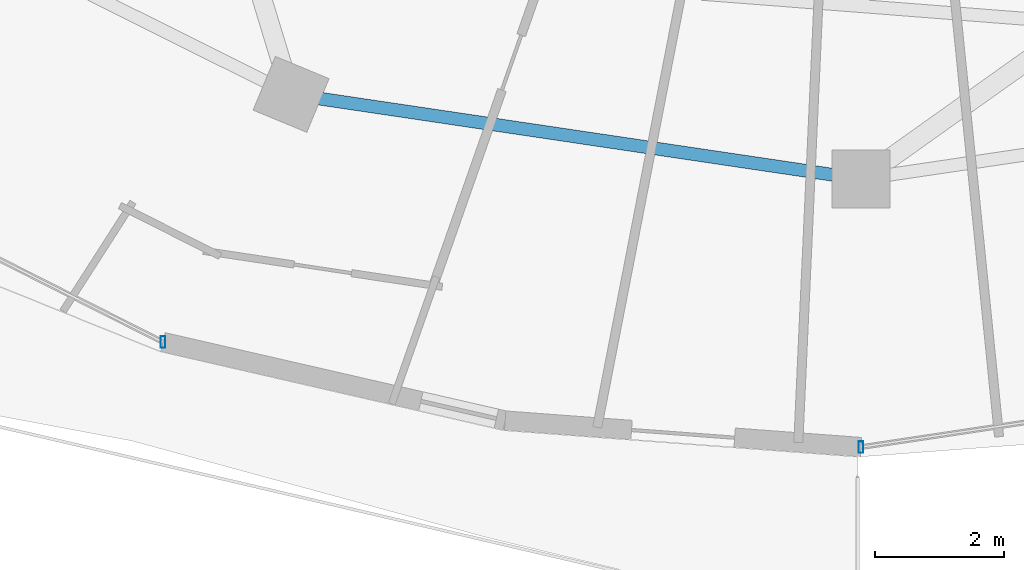
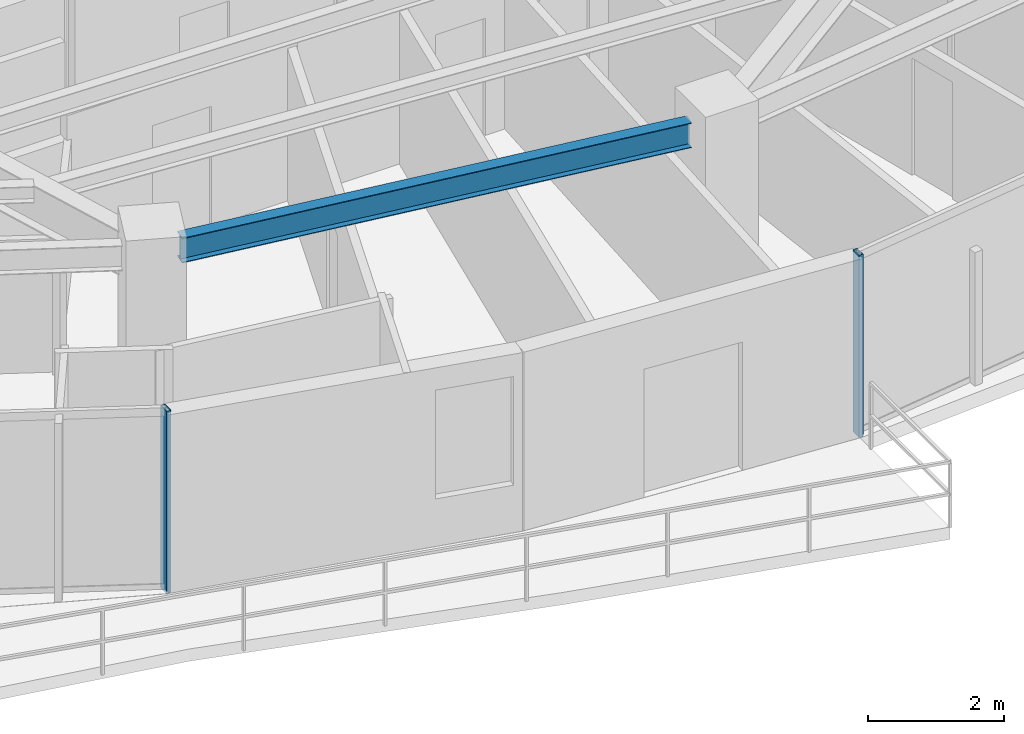
# One storey, part 5 of 33: 2 members, 1 beam, 2 elements without a shape of their own.
"""IFC4 building model written with IfcOpenShell, lengths in metres."""

from ifc_helpers import new_model, si_unit, direction, frame, origin, origin_2d, place, context, subcontext, project, spatial, hollow_rectangle, i_section, extrude, material, material_profile, profile_set, type_object, element, aggregate, save


model = new_model("IFC4")

# Units and contexts
model_context = context("Model", 3, precision=1e-05, world=origin(), true_north=direction((0.0, 1.0)))
body_context = subcontext(model_context, "Body", "Model", "MODEL_VIEW")
ifc_project = project(units=[si_unit("LENGTHUNIT", "METRE"), si_unit("AREAUNIT", "SQUARE_METRE"), si_unit("VOLUMEUNIT", "CUBIC_METRE"), si_unit("PLANEANGLEUNIT", "RADIAN"), si_unit("MASSUNIT", "GRAM", prefix="KILO")], contexts=[model_context])

# Site, building, storey
site_placement = place(None, origin())
site = spatial("IfcSite", under=ifc_project, at=site_placement, CompositionType="ELEMENT")
building_placement = place(site_placement, origin())
building = spatial("IfcBuilding", under=site, at=building_placement, Name="Vorneva Point Tower", CompositionType="ELEMENT")
storey_placement = place(building_placement, frame((0.0, 0.0, 221.39990234375)))
storey = spatial("IfcBuildingStorey", under=building, at=storey_placement, Name="L60", CompositionType="ELEMENT", Elevation=221.39990234375)

# Beam
ifc_material_1 = material(Name="Steel S355", Category="steel")
ifc_material_profile_1 = material_profile(ifc_material_1, i_section(OverallWidth=0.198974609375, OverallDepth=0.446044921875, WebThickness=0.008056640625, FlangeThickness=0.011962890625, at=origin_2d()), Name="45B1")
ifc_profile_set_1 = profile_set([ifc_material_profile_1], Name="Steel S355")
beam_type = type_object("IfcBeamType", Name="BM-SPN-45B1", PredefinedType="SPANDREL", material=ifc_profile_set_1)
beam_placement = place(storey_placement, frame((29.609375, 10.04541015625, 2.97705078125), z_axis=(0.989165476332, -0.146804837907, 0.0), x_axis=(0.146804837907, 0.989165476332, 0.0)))
element("IfcBeam", 1, at=beam_placement, inside=storey, type_object=beam_type, Name="L60 Perimeter Spandrel Ring Beam 12", PredefinedType="SPANDREL", context=body_context, shape_type="SweptSolid", body=[
    extrude(i_section(OverallWidth=0.198974609375, OverallDepth=0.446044921875, WebThickness=0.008056640625, FlangeThickness=0.011962890625, at=origin_2d()), origin(), (0.0, 0.0, 1.0), 8.04736328125),
])

# Curtain wall, member
ifc_material_2 = material(Name="Pale anodised aluminium", Category="aluminium")
curtain_wall_type = type_object("IfcCurtainWallType", Name="CW-RES-SYS", PredefinedType="NOTDEFINED", material=ifc_material_2)
curtain_wall_1_placement = place(storey_placement, origin())
curtain_wall_1 = element("IfcCurtainWall", 2, at=curtain_wall_1_placement, inside=storey, type_object=curtain_wall_type, Name="L60 Unitised Curtain Wall CW-L60-R02", PredefinedType="NOTDEFINED")
ifc_material_profile_2 = material_profile(ifc_material_2, hollow_rectangle(XDim=0.074951171875, YDim=0.179931640625, WallThickness=0.00390625, at=origin_2d()), Name="AL-MUL 180x75x4")
ifc_profile_set_2 = profile_set([ifc_material_profile_2], Name="Pale anodised aluminium")
member_type = type_object("IfcMemberType", Name="CW-MUL-180", PredefinedType="MULLION", material=ifc_profile_set_2)
member_1_placement = place(storey_placement, frame((27.19677734375, 6.275146484375, -0.039794921875), z_axis=(0.0, 0.0, 1.0), x_axis=(1.0, 0.0, 0.0)))
member_1 = element("IfcMember", 3, at=member_1_placement, type_object=member_type, Name="CW-L60-R02 Mullion 06", PredefinedType="MULLION", context=body_context, shape_type="SweptSolid", body=[
    extrude(hollow_rectangle(XDim=0.074951171875, YDim=0.179931640625, WallThickness=0.00390625, at=origin_2d()), origin(), (0.0, 0.0, 1.0), 3.269775390625),
])
aggregate(curtain_wall_1, [member_1])

curtain_wall_2_placement = place(storey_placement, origin())
curtain_wall_2 = element("IfcCurtainWall", 4, at=curtain_wall_2_placement, inside=storey, type_object=curtain_wall_type, Name="L60 Unitised Curtain Wall CW-L60-R03", PredefinedType="NOTDEFINED")
member_2_placement = place(storey_placement, frame((38.0, 4.64990234375, -0.039794921875), z_axis=(0.0, 0.0, 1.0), x_axis=(1.0, 0.0, 0.0)))
member_2 = element("IfcMember", 5, at=member_2_placement, type_object=member_type, Name="CW-L60-R03 Mullion 01", PredefinedType="MULLION", context=body_context, shape_type="SweptSolid", body=[
    extrude(hollow_rectangle(XDim=0.074951171875, YDim=0.179931640625, WallThickness=0.00390625, at=origin_2d()), origin(), (0.0, 0.0, 1.0), 3.269775390625),
])
aggregate(curtain_wall_2, [member_2])

save(model, "model.ifc")
